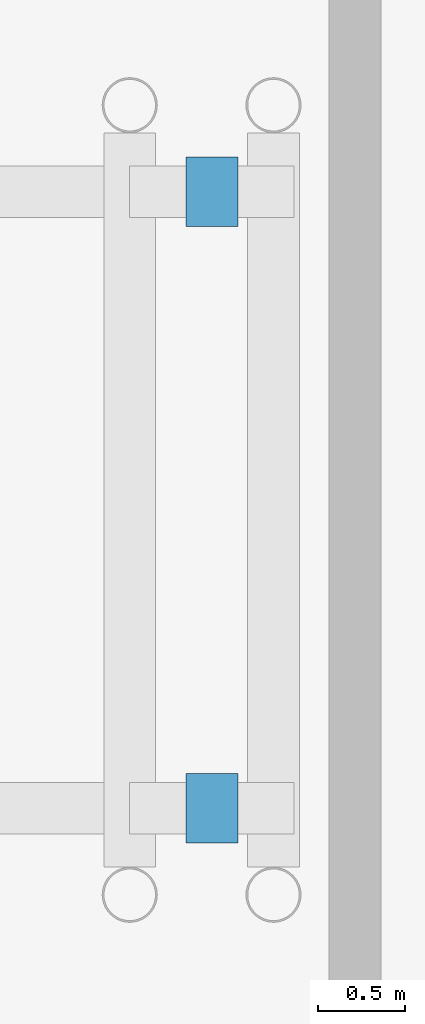
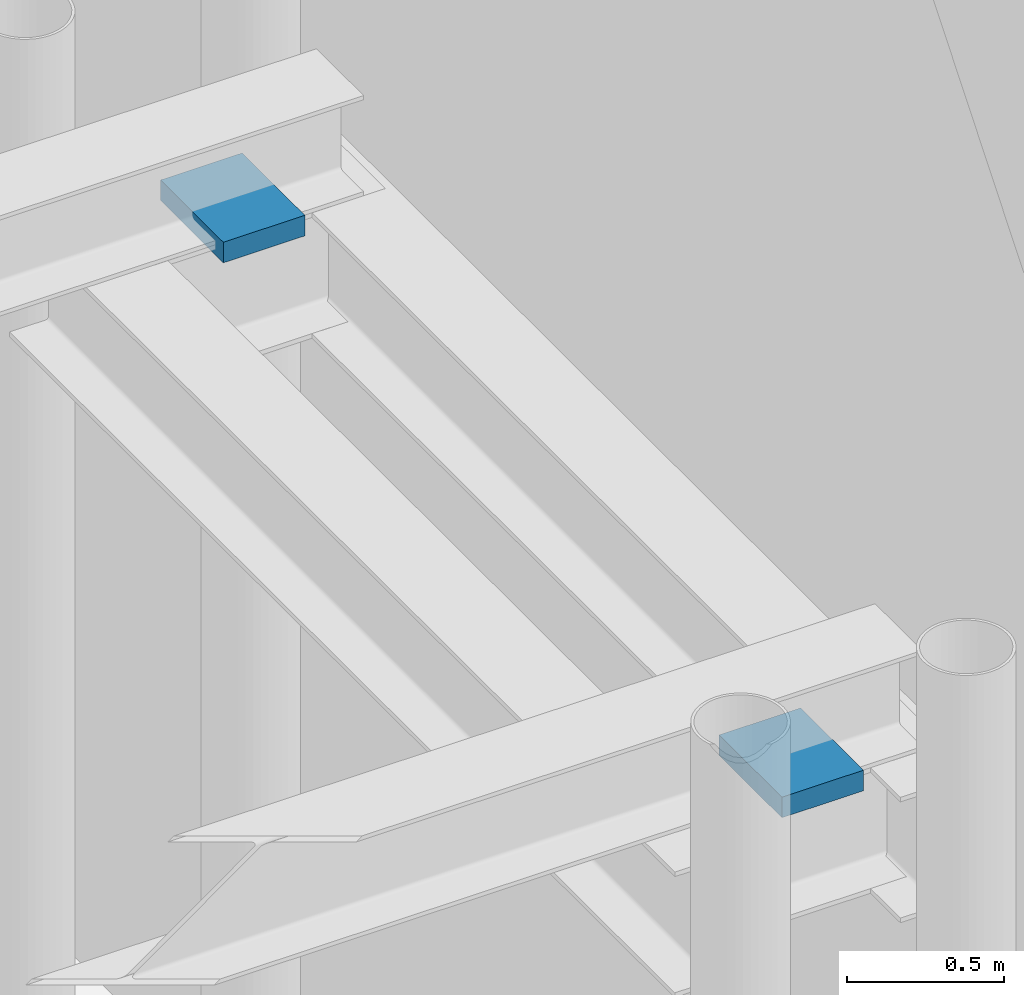
# One storey, part 97 of 123: 2 discrete accessories.
"""IFC4 building model written with IfcOpenShell, lengths in metres."""

from ifc_helpers import new_model, si_unit, direction, frame, origin, origin_2d, place, context, subcontext, project, spatial, rectangle, extrude, material, type_object, element, save


model = new_model("IFC4")

# Units and contexts
model_context = context("Model", 3, precision=1e-05, world=origin(), true_north=direction((0.0, 1.0)))
body_context = subcontext(model_context, "Body", "Model", "MODEL_VIEW")
ifc_project = project(units=[si_unit("LENGTHUNIT", "METRE"), si_unit("AREAUNIT", "SQUARE_METRE"), si_unit("VOLUMEUNIT", "CUBIC_METRE"), si_unit("PLANEANGLEUNIT", "RADIAN"), si_unit("MASSUNIT", "GRAM", prefix="KILO")], contexts=[model_context])

# Site, building, storey
site_placement = place(None, origin())
site = spatial("IfcSite", under=ifc_project, at=site_placement, CompositionType="ELEMENT")
building_placement = place(site_placement, origin())
building = spatial("IfcBuilding", under=site, at=building_placement, Name="Suzunagisa Mobility Hub", CompositionType="ELEMENT")
storey_placement = place(building_placement, origin())
storey = spatial("IfcBuildingStorey", under=building, at=storey_placement, Name="L00", CompositionType="ELEMENT", Elevation=0.0)

# Discrete accessories
ifc_material = material(Name="PTFE Elastomeric Bearing Assembly")
discrete_accessory_type = type_object("IfcDiscreteAccessoryType", Name="Unguided PTFE Sliding Bearing SBG-01", PredefinedType="SHOE", material=ifc_material)
for number, where, z_axis, x_axis, name in (
    (1, (44.175048828125, 55.219970703125, 4.429931640625), (0.0, 0.0, 1.0), (1.0, 0.0, 0.0), "Skybridge PTFE Sliding Bearing SB-01-A"),
    (2, (44.175048828125, 58.780029296875, 4.429931640625), (0.0, 0.0, 1.0), (1.0, 0.0, 0.0), "Skybridge PTFE Sliding Bearing SB-01-B"),
):
    element("IfcDiscreteAccessory", number, at=place(storey_placement, frame(where, z_axis=z_axis, x_axis=x_axis)), inside=storey, type_object=discrete_accessory_type, Name=name, PredefinedType="SHOE", context=body_context, shape_type="SweptSolid", body=[
        extrude(rectangle(XDim=0.300048828125, YDim=0.39990234375, at=origin_2d()), origin(), (0.0, 0.0, 1.0), 0.080078125),
    ])

save(model, "model.ifc")
